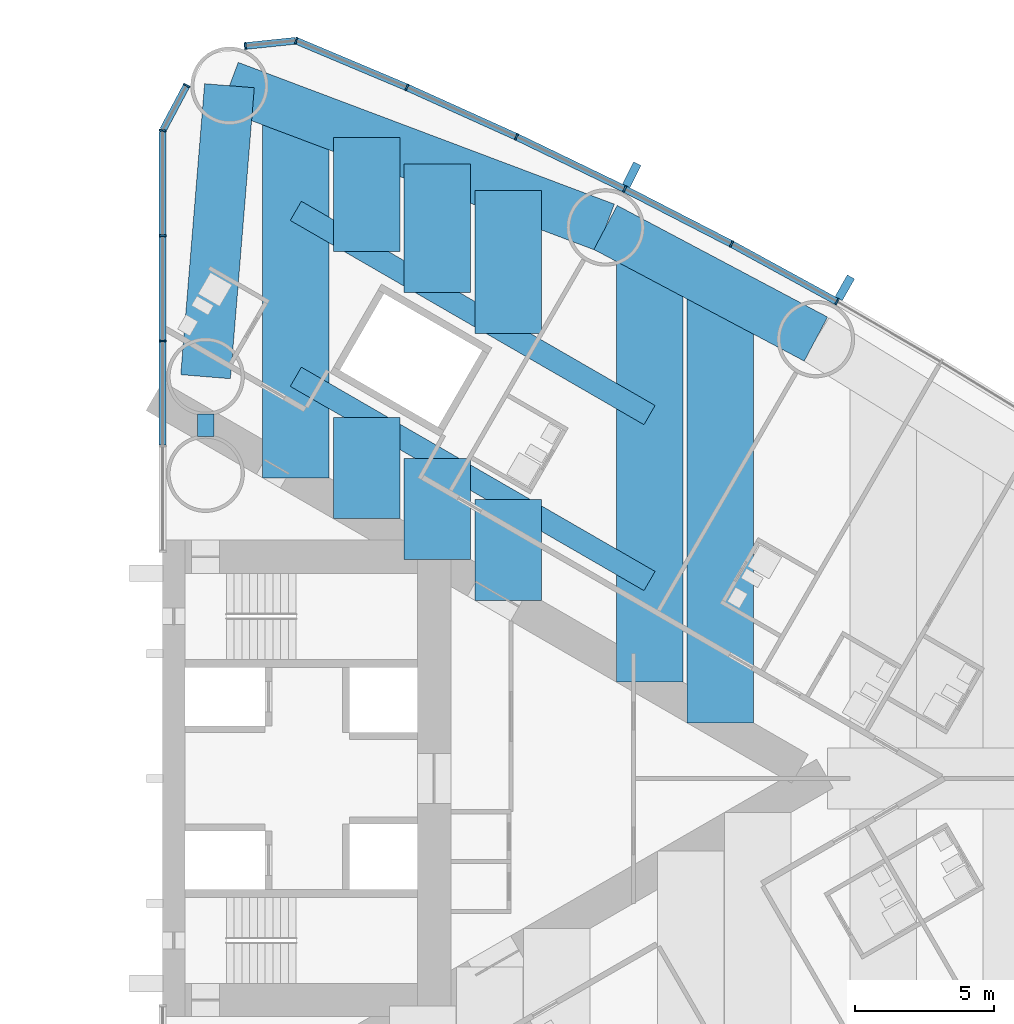
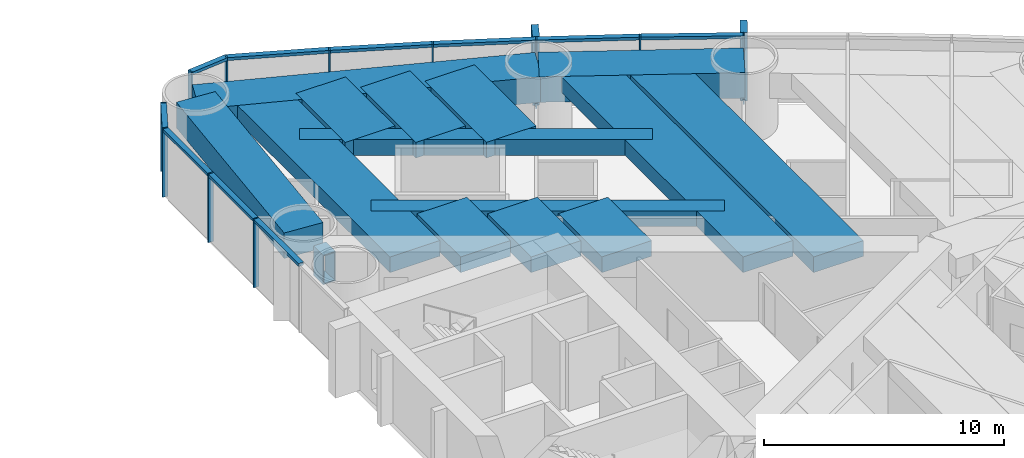
# One storey, part 7 of 19: 23 members, 15 beams, 2 elements without a shape of their own.
"""IFC4 building model written with IfcOpenShell, lengths in metres."""

import ifcopenshell
import ifcopenshell.guid

model = None  # the IFC model being written
_history = None  # IfcOwnerHistory: only IFC2X3 demands one
_inside = {}  # id of a spatial element -> (the spatial element, [elements in it])
_under = {}  # id of a project, library or spatial element -> (it, [spatial elements below it])
_declared = {}  # id of a project -> (the project, [libraries it declares])
_typed = {}  # id of a type object -> (the type object, [elements of that type])
_made_of = {}  # id of a material, layer set ... -> (it, [elements and type objects made of it])


def new_model(schema):
    """Start an empty IFC model of exactly this schema.

    Asked for "IFC4X3", IfcOpenShell would pick the latest addendum, in which some entities
    have other attributes; the version numbers below select the first issue.
    IFC2X3 requires an IfcOwnerHistory on every rooted entity: one is made here for all.
    """
    global model, _history
    if schema == "IFC4X3":
        model = ifcopenshell.file(schema_version=(4, 3, 0, 0))
    else:
        model = ifcopenshell.file(schema=schema)
    _inside.clear()
    _under.clear()
    _declared.clear()
    _typed.clear()
    _made_of.clear()
    _history = None
    if model.schema == "IFC2X3":
        org = make("IfcOrganization", Name="unknown")
        user = make(
            "IfcPersonAndOrganization",
            ThePerson=make("IfcPerson", FamilyName="unknown"),
            TheOrganization=org,
        )
        app = make(
            "IfcApplication",
            ApplicationDeveloper=org,
            Version="unknown",
            ApplicationFullName="unknown",
            ApplicationIdentifier="unknown",
        )
        _history = make(
            "IfcOwnerHistory",
            OwningUser=user,
            OwningApplication=app,
            ChangeAction="ADDED",
            CreationDate=0,
        )
    return model


def make(cls, **values):
    """One entity of the class cls with the attributes given. An attribute that is None is left unset."""
    return model.create_entity(
        cls, **{name: value for name, value in values.items() if value is not None}
    )


def rooted(cls, **values):
    """An entity with a GlobalId (a new one), such as an element, a storey or a relation."""
    return make(cls, GlobalId=ifcopenshell.guid.new(), OwnerHistory=_history, **values)


def si_unit(unit_type, name, prefix=None):
    """IfcSIUnit, for example si_unit("LENGTHUNIT", "METRE", prefix="MILLI")."""
    return make("IfcSIUnit", UnitType=unit_type, Prefix=prefix, Name=name)


def assignment(units):
    """IfcUnitAssignment: the units of a project."""
    return None if units is None else make("IfcUnitAssignment", Units=units)


def point(xyz):
    """IfcCartesianPoint."""
    return None if xyz is None else make("IfcCartesianPoint", Coordinates=xyz)


def direction(xyz):
    """IfcDirection."""
    return None if xyz is None else make("IfcDirection", DirectionRatios=xyz)


def frame(location, z_axis=None, x_axis=None):
    """IfcAxis2Placement3D, a coordinate frame: its origin and axes. An axis left out is left unset."""
    return make(
        "IfcAxis2Placement3D",
        Location=point(location),
        Axis=direction(z_axis),
        RefDirection=direction(x_axis),
    )


def frame_2d(location, x_axis=None):
    """IfcAxis2Placement2D, a coordinate frame in the plane: its origin and x axis."""
    return make(
        "IfcAxis2Placement2D", Location=point(location), RefDirection=direction(x_axis)
    )


def origin():
    """The frame at (0, 0, 0) with its axes left unset."""
    return frame((0.0, 0.0, 0.0))


def origin_2d():
    """The frame at (0, 0) in the plane with its x axis left unset."""
    return frame_2d((0.0, 0.0))


def place(relative_to, where):
    """IfcLocalPlacement: puts the frame where relative to a parent placement (None: the world)."""
    return make(
        "IfcLocalPlacement", PlacementRelTo=relative_to, RelativePlacement=where
    )


def context(
    kind, dimensions, precision=None, world=None, true_north=None, identifier=None
):
    """IfcGeometricRepresentationContext, for example the 3D "Model" context."""
    return make(
        "IfcGeometricRepresentationContext",
        ContextIdentifier=identifier,
        ContextType=kind,
        CoordinateSpaceDimension=dimensions,
        Precision=precision,
        WorldCoordinateSystem=world,
        TrueNorth=true_north,
    )


def subcontext(parent, identifier, kind, view, scale=None):
    """IfcGeometricRepresentationSubContext, for example "Body" below "Model"."""
    return make(
        "IfcGeometricRepresentationSubContext",
        ContextIdentifier=identifier,
        ContextType=kind,
        ParentContext=parent,
        TargetScale=scale,
        TargetView=view,
    )


def project(units=None, contexts=None):
    """IfcProject with its units and contexts."""
    return rooted(
        "IfcProject",
        Name="project",
        RepresentationContexts=contexts,
        UnitsInContext=assignment(units),
    )


def spatial(cls, under=None, at=None, **own):
    """A site, building, storey or space (cls), placed at a placement, below another one or the project."""
    s = rooted(cls, ObjectPlacement=at, **own)
    if under is not None:
        _under.setdefault(under.id(), (under, []))[1].append(s)
    return s


def profile(cls, at=None, kind="AREA", **sizes):
    """A parametric profile (cls). Its sizes go by their IFC names, for example OverallWidth=200.0."""
    return make(cls, ProfileType=kind, Position=at, **sizes)


def rectangle(**sizes):
    """IfcRectangleProfileDef."""
    return profile("IfcRectangleProfileDef", **sizes)


def hollow_rectangle(**sizes):
    """IfcRectangleHollowProfileDef."""
    return profile("IfcRectangleHollowProfileDef", **sizes)


def extrude(swept, where, along, depth):
    """IfcExtrudedAreaSolid: the profile swept, set in the frame where, extruded along a direction by depth."""
    return make(
        "IfcExtrudedAreaSolid",
        SweptArea=swept,
        Position=where,
        ExtrudedDirection=direction(along),
        Depth=depth,
    )


def shape(context_of_items, identifier, shape_type, items):
    """IfcShapeRepresentation: the items that make up one representation, for example the "Body"."""
    return make(
        "IfcShapeRepresentation",
        ContextOfItems=context_of_items,
        RepresentationIdentifier=identifier,
        RepresentationType=shape_type,
        Items=items,
    )


def material(Name=None, Category=None):
    """IfcMaterial."""
    return make("IfcMaterial", Name=Name, Category=Category)


def material_profile(
    of_material, cross_section, Name=None, Category=None, Priority=None
):
    """IfcMaterialProfile: a cross section and its material."""
    return make(
        "IfcMaterialProfile",
        Name=Name,
        Material=of_material,
        Profile=cross_section,
        Priority=Priority,
        Category=Category,
    )


def profile_set(profiles, Name=None, composite=None):
    """IfcMaterialProfileSet."""
    return make(
        "IfcMaterialProfileSet",
        Name=Name,
        MaterialProfiles=profiles,
        CompositeProfile=composite,
    )


def made_of(thing, what):
    """Note that an element or type object is made of a material, layer set ...; save() writes the relation."""
    if what is not None:
        _made_of.setdefault(what.id(), (what, []))[1].append(thing)
    return thing


def type_object(cls, material=None, **own):
    """A type object (cls), such as IfcWallType, which elements share."""
    return made_of(rooted(cls, **own), material)


def element(
    cls,
    number,
    at=None,
    inside=None,
    cuts=None,
    type_object=None,
    material=None,
    context=None,
    identifier="Body",
    shape_type=None,
    held_by="IfcProductDefinitionShape",
    body=None,
    shapes=None,
    **own,
):
    """One element of the class cls, such as IfcWall. Its Tag is "e" and its number.

    at: its placement. inside: the storey or other place that contains it. cuts: it is an
    opening in that element (IfcRelVoidsElement). A single representation is given by context,
    identifier, shape_type and body (its items); several are given by shapes. held_by: the class
    of the entity that holds the representations. save() writes the other relations.
    """
    e = rooted(cls, Tag="e%d" % number, ObjectPlacement=at, **own)
    if body is not None:
        shapes = [shape(context, identifier, shape_type, body)]
    if shapes is not None:
        e.Representation = make(held_by, Representations=shapes)
    if inside is not None:
        _inside.setdefault(inside.id(), (inside, []))[1].append(e)
    if cuts is not None:
        rooted(
            "IfcRelVoidsElement", RelatingBuildingElement=cuts, RelatedOpeningElement=e
        )
    if type_object is not None:
        _typed.setdefault(type_object.id(), (type_object, []))[1].append(e)
    return made_of(e, material)


def aggregate(whole, parts):
    """IfcRelAggregates: a whole, such as a stair, and the parts it consists of."""
    return rooted("IfcRelAggregates", RelatingObject=whole, RelatedObjects=parts)


def save(model, path):
    """Write the relations noted so far, then the file.

    IfcRelAggregates (storeys below a building ...), IfcRelContainedInSpatialStructure (elements
    in a storey), IfcRelDefinesByType, IfcRelAssociatesMaterial and IfcRelDeclares: one each for
    every whole, place, type object, material and project.
    """
    for whole, parts in _under.values():
        aggregate(whole, parts)
    for where, things in _inside.values():
        rooted(
            "IfcRelContainedInSpatialStructure",
            RelatedElements=things,
            RelatingStructure=where,
        )
    for kind, things in _typed.values():
        rooted("IfcRelDefinesByType", RelatedObjects=things, RelatingType=kind)
    for what, things in _made_of.values():
        rooted("IfcRelAssociatesMaterial", RelatedObjects=things, RelatingMaterial=what)
    for by, libraries in _declared.values():
        rooted("IfcRelDeclares", RelatingContext=by, RelatedDefinitions=libraries)
    model.write(path)


model = new_model("IFC4")

# Units and contexts
model_context = context("Model", 3, precision=1e-05, world=origin(), true_north=direction((0.0, 1.0)))
body_context = subcontext(model_context, "Body", "Model", "MODEL_VIEW")
ifc_project = project(units=[si_unit("LENGTHUNIT", "METRE"), si_unit("AREAUNIT", "SQUARE_METRE"), si_unit("VOLUMEUNIT", "CUBIC_METRE"), si_unit("PLANEANGLEUNIT", "RADIAN"), si_unit("MASSUNIT", "GRAM", prefix="KILO")], contexts=[model_context])

# Site, building, storey
site_placement = place(None, origin())
site = spatial("IfcSite", under=ifc_project, at=site_placement, CompositionType="ELEMENT")
building_placement = place(site_placement, origin())
building = spatial("IfcBuilding", under=site, at=building_placement, Name="Lancet Gate Hotel", CompositionType="ELEMENT")
storey_placement = place(building_placement, frame((0.0, 0.0, 21.5)))
storey = spatial("IfcBuildingStorey", under=building, at=storey_placement, Name="L04", CompositionType="ELEMENT", Elevation=21.5)

# Curtain wall, members
ifc_material_1 = material(Name="Aluminium curtain wall", Category="aluminium")
curtain_wall_type = type_object("IfcCurtainWallType", Name="Tower unitised curtain wall", PredefinedType="USERDEFINED", material=ifc_material_1)
curtain_wall_1_placement = place(storey_placement, origin())
curtain_wall_1 = element("IfcCurtainWall", 1, at=curtain_wall_1_placement, inside=storey, type_object=curtain_wall_type, Name="T2 L04 curtain wall 3", ObjectType="UNITISED CURTAIN WALL", PredefinedType="USERDEFINED")
ifc_material_2 = material(Name="Aluminium mullion", Category="aluminium")
ifc_material_profile_1 = material_profile(ifc_material_2, rectangle(XDim=0.06494140625, YDim=0.25, at=origin_2d()), Name="MULLION 65x250")
ifc_profile_set_1 = profile_set([ifc_material_profile_1], Name="Aluminium mullion")
member_type_1 = type_object("IfcMemberType", Name="Aluminium mullion 65x250", PredefinedType="MULLION", material=ifc_profile_set_1)
member_1_placement = place(storey_placement, frame((51.838623046875, 17.208740234375, 0.0), z_axis=(0.0, 0.0, 1.0), x_axis=(-0.871190450382, 0.490945209941, 0.0)))
member_1 = element("IfcMember", 2, at=member_1_placement, type_object=member_type_1, Name="T2 L04 curtain wall 3 mullion 8", PredefinedType="MULLION", context=body_context, shape_type="SweptSolid", body=[
    extrude(rectangle(XDim=0.06494140625, YDim=0.25, at=origin_2d()), origin(), (0.0, 0.0, 1.0), 3.5),
])
member_2_placement = place(storey_placement, frame((48.03271484375, 19.2900390625, 0.0), z_axis=(0.0, 0.0, 1.0), x_axis=(-0.88340346743, 0.468613181347, 0.0)))
member_2 = element("IfcMember", 3, at=member_2_placement, type_object=member_type_1, Name="T2 L04 curtain wall 3 mullion 9", PredefinedType="MULLION", context=body_context, shape_type="SweptSolid", body=[
    extrude(rectangle(XDim=0.06494140625, YDim=0.25, at=origin_2d()), origin(), (0.0, 0.0, 1.0), 3.5),
])
member_3_placement = place(storey_placement, frame((44.17529296875, 21.273681640625, 0.0), z_axis=(0.0, 0.0, 1.0), x_axis=(-0.895044147438, 0.445977548917, 0.0)))
member_3 = element("IfcMember", 4, at=member_3_placement, type_object=member_type_1, Name="T2 L04 curtain wall 3 mullion 10", PredefinedType="MULLION", context=body_context, shape_type="SweptSolid", body=[
    extrude(rectangle(XDim=0.06494140625, YDim=0.25, at=origin_2d()), origin(), (0.0, 0.0, 1.0), 3.5),
])
member_4_placement = place(storey_placement, frame((40.2685546875, 23.15869140625, 0.0), z_axis=(0.0, 0.0, 1.0), x_axis=(-0.906104948671, 0.423052977762, 0.0)))
member_4 = element("IfcMember", 5, at=member_4_placement, type_object=member_type_1, Name="T2 L04 curtain wall 3 mullion 11", PredefinedType="MULLION", context=body_context, shape_type="SweptSolid", body=[
    extrude(rectangle(XDim=0.06494140625, YDim=0.25, at=origin_2d()), origin(), (0.0, 0.0, 1.0), 3.5),
])
member_5_placement = place(storey_placement, frame((36.31494140625, 24.943603515625, 0.0), z_axis=(0.0, 0.0, 1.0), x_axis=(-0.916578705089, 0.399854320193, 0.0)))
member_5 = element("IfcMember", 6, at=member_5_placement, type_object=member_type_1, Name="T2 L04 curtain wall 3 mullion 12", PredefinedType="MULLION", context=body_context, shape_type="SweptSolid", body=[
    extrude(rectangle(XDim=0.06494140625, YDim=0.25, at=origin_2d()), origin(), (0.0, 0.0, 1.0), 3.5),
])
member_6_placement = place(storey_placement, frame((32.3173828125, 26.62744140625, 0.0), z_axis=(0.0, 0.0, 1.0), x_axis=(-0.968721492963, 0.248150496819, 0.0)))
member_6 = element("IfcMember", 7, at=member_6_placement, type_object=member_type_1, Name="T2 L04 curtain wall 3 mullion 13", PredefinedType="MULLION", context=body_context, shape_type="SweptSolid", body=[
    extrude(rectangle(XDim=0.06494140625, YDim=0.25, at=origin_2d()), origin(), (0.0, 0.0, 1.0), 3.5),
])
member_7_placement = place(storey_placement, frame((30.48388671875, 26.4375, 0.0), z_axis=(0.0, 0.0, 1.0), x_axis=(-0.994672262412, -0.10308778001, 0.0)))
member_7 = element("IfcMember", 8, at=member_7_placement, type_object=member_type_1, Name="T2 L04 curtain wall 3 mullion 14", PredefinedType="MULLION", context=body_context, shape_type="SweptSolid", body=[
    extrude(rectangle(XDim=0.06494140625, YDim=0.25, at=origin_2d()), origin(), (0.0, 0.0, 1.0), 3.5),
])

curtain_wall_2_placement = place(storey_placement, origin())
curtain_wall_2 = element("IfcCurtainWall", 9, at=curtain_wall_2_placement, inside=storey, type_object=curtain_wall_type, Name="T2 L04 curtain wall 4", ObjectType="UNITISED CURTAIN WALL", PredefinedType="USERDEFINED")
member_8_placement = place(storey_placement, frame((28.366455078125, 25.012451171875, 0.0), z_axis=(0.0, 0.0, 1.0), x_axis=(-0.469897827284, -0.882720811987, 0.0)))
member_8 = element("IfcMember", 10, at=member_8_placement, type_object=member_type_1, Name="T2 L04 curtain wall 4 mullion 1", PredefinedType="MULLION", context=body_context, shape_type="SweptSolid", body=[
    extrude(rectangle(XDim=0.06494140625, YDim=0.25, at=origin_2d()), origin(), (0.0, 0.0, 1.0), 3.5),
])
member_9_placement = place(storey_placement, frame((27.5, 23.384765625, 0.0), z_axis=(0.0, 0.0, 1.0), x_axis=(-0.157751691459, -0.987478811844, 0.0)))
member_9 = element("IfcMember", 11, at=member_9_placement, type_object=member_type_1, Name="T2 L04 curtain wall 4 mullion 2", PredefinedType="MULLION", context=body_context, shape_type="SweptSolid", body=[
    extrude(rectangle(XDim=0.06494140625, YDim=0.25, at=origin_2d()), origin(), (0.0, 0.0, 1.0), 3.5),
])
member_10_placement = place(storey_placement, frame((27.5, 19.588623046875, 0.0), z_axis=(0.0, 0.0, 1.0), x_axis=(0.0, -1.0, 0.0)))
member_10 = element("IfcMember", 12, at=member_10_placement, type_object=member_type_1, Name="T2 L04 curtain wall 4 mullion 3", PredefinedType="MULLION", context=body_context, shape_type="SweptSolid", body=[
    extrude(rectangle(XDim=0.06494140625, YDim=0.25, at=origin_2d()), origin(), (0.0, 0.0, 1.0), 3.5),
])
member_11_placement = place(storey_placement, frame((27.5, 15.79248046875, 0.0), z_axis=(0.0, 0.0, 1.0), x_axis=(0.0, -1.0, 0.0)))
member_11 = element("IfcMember", 13, at=member_11_placement, type_object=member_type_1, Name="T2 L04 curtain wall 4 mullion 4", PredefinedType="MULLION", context=body_context, shape_type="SweptSolid", body=[
    extrude(rectangle(XDim=0.06494140625, YDim=0.25, at=origin_2d()), origin(), (0.0, 0.0, 1.0), 3.5),
])

# Member
ifc_material_3 = material(Name="Aluminium transom", Category="aluminium")
ifc_material_profile_2 = material_profile(ifc_material_3, rectangle(XDim=0.25, YDim=0.14990234375, at=origin_2d()), Name="TRANSOM 250x150")
ifc_profile_set_2 = profile_set([ifc_material_profile_2], Name="Aluminium transom")
member_type_2 = type_object("IfcMemberType", Name="Aluminium transom 250x150", PredefinedType="USERDEFINED", material=ifc_profile_set_2)
member_12_placement = place(storey_placement, frame((51.81005859375, 17.224365234375, 3.425048828125), z_axis=(-0.877377528879, 0.479800658417, 0.0), x_axis=(-0.479800658417, -0.877377528879, 0.0)))
member_12 = element("IfcMember", 14, at=member_12_placement, type_object=member_type_2, Name="T2 L04 curtain wall 3 transom 8", ObjectType="TRANSOM", PredefinedType="USERDEFINED", context=body_context, shape_type="SweptSolid", body=[
    extrude(rectangle(XDim=0.25, YDim=0.14990234375, at=origin_2d()), origin(), (0.0, 0.0, 1.0), 4.272705078125),
])

member_13_placement = place(storey_placement, frame((48.00390625, 19.304931640625, 3.425048828125), z_axis=(-0.88929576978, 0.457332520002, 0.0), x_axis=(-0.457332520002, -0.88929576978, 0.0)))
member_13 = element("IfcMember", 15, at=member_13_placement, type_object=member_type_2, Name="T2 L04 curtain wall 3 transom 9", ObjectType="TRANSOM", PredefinedType="USERDEFINED", context=body_context, shape_type="SweptSolid", body=[
    extrude(rectangle(XDim=0.25, YDim=0.14990234375, at=origin_2d()), origin(), (0.0, 0.0, 1.0), 4.272705078125),
])

member_14_placement = place(storey_placement, frame((44.14599609375, 21.287841796875, 3.425048828125), z_axis=(-0.900646499888, 0.434552508035, 0.0), x_axis=(-0.434552508035, -0.900646499888, 0.0)))
member_14 = element("IfcMember", 16, at=member_14_placement, type_object=member_type_2, Name="T2 L04 curtain wall 3 transom 10", ObjectType="TRANSOM", PredefinedType="USERDEFINED", context=body_context, shape_type="SweptSolid", body=[
    extrude(rectangle(XDim=0.25, YDim=0.14990234375, at=origin_2d()), origin(), (0.0, 0.0, 1.0), 4.272705078125),
])

member_15_placement = place(storey_placement, frame((40.23876953125, 23.172119140625, 3.425048828125), z_axis=(-0.911396871737, 0.411528543589, 0.0), x_axis=(-0.411528543589, -0.911396871737, 0.0)))
member_15 = element("IfcMember", 17, at=member_15_placement, type_object=member_type_2, Name="T2 L04 curtain wall 3 transom 11", ObjectType="TRANSOM", PredefinedType="USERDEFINED", context=body_context, shape_type="SweptSolid", body=[
    extrude(rectangle(XDim=0.25, YDim=0.14990234375, at=origin_2d()), origin(), (0.0, 0.0, 1.0), 4.272705078125),
])

member_16_placement = place(storey_placement, frame((36.28515625, 24.956298828125, 3.425048828125), z_axis=(-0.92159772617, 0.388146404233, 0.0), x_axis=(-0.388146404233, -0.92159772617, 0.0)))
member_16 = element("IfcMember", 18, at=member_16_placement, type_object=member_type_2, Name="T2 L04 curtain wall 3 transom 12", ObjectType="TRANSOM", PredefinedType="USERDEFINED", context=body_context, shape_type="SweptSolid", body=[
    extrude(rectangle(XDim=0.25, YDim=0.14990234375, at=origin_2d()), origin(), (0.0, 0.0, 1.0), 4.272705078125),
])

member_17_placement = place(storey_placement, frame((32.28515625, 26.6240234375, 3.425048828125), z_axis=(-0.994670452051, -0.103105246306, 0.0), x_axis=(0.103105246306, -0.994670452051, 0.0)))
member_17 = element("IfcMember", 19, at=member_17_placement, type_object=member_type_2, Name="T2 L04 curtain wall 3 transom 13", ObjectType="TRANSOM", PredefinedType="USERDEFINED", context=body_context, shape_type="SweptSolid", body=[
    extrude(rectangle(XDim=0.25, YDim=0.14990234375, at=origin_2d()), origin(), (0.0, 0.0, 1.0), 1.7783203125),
])

member_18_placement = place(storey_placement, frame((28.351318359375, 24.98388671875, 3.425048828125), z_axis=(-0.469904276347, -0.882717378933, 0.0), x_axis=(0.882717378933, -0.469904276347, 0.0)))
member_18 = element("IfcMember", 20, at=member_18_placement, type_object=member_type_2, Name="T2 L04 curtain wall 4 transom 1", ObjectType="TRANSOM", PredefinedType="USERDEFINED", context=body_context, shape_type="SweptSolid", body=[
    extrude(rectangle(XDim=0.25, YDim=0.14990234375, at=origin_2d()), origin(), (0.0, 0.0, 1.0), 1.779052734375),
])

member_19_placement = place(storey_placement, frame((27.5, 23.352294921875, 3.425048828125), z_axis=(0.0, -1.0, 0.0), x_axis=(1.0, 0.0, 0.0)))
member_19 = element("IfcMember", 21, at=member_19_placement, type_object=member_type_2, Name="T2 L04 curtain wall 4 transom 2", ObjectType="TRANSOM", PredefinedType="USERDEFINED", context=body_context, shape_type="SweptSolid", body=[
    extrude(rectangle(XDim=0.25, YDim=0.14990234375, at=origin_2d()), origin(), (0.0, 0.0, 1.0), 3.731201171875),
])

member_20_placement = place(storey_placement, frame((27.5, 19.55615234375, 3.425048828125), z_axis=(0.0, -1.0, 0.0), x_axis=(1.0, 0.0, 0.0)))
member_20 = element("IfcMember", 22, at=member_20_placement, type_object=member_type_2, Name="T2 L04 curtain wall 4 transom 3", ObjectType="TRANSOM", PredefinedType="USERDEFINED", context=body_context, shape_type="SweptSolid", body=[
    extrude(rectangle(XDim=0.25, YDim=0.14990234375, at=origin_2d()), origin(), (0.0, 0.0, 1.0), 3.731201171875),
])

member_21_placement = place(storey_placement, frame((27.5, 15.760009765625, 3.425048828125), z_axis=(0.0, -1.0, 0.0), x_axis=(1.0, 0.0, 0.0)))
member_21 = element("IfcMember", 23, at=member_21_placement, type_object=member_type_2, Name="T2 L04 curtain wall 4 transom 4", ObjectType="TRANSOM", PredefinedType="USERDEFINED", context=body_context, shape_type="SweptSolid", body=[
    extrude(rectangle(XDim=0.25, YDim=0.14990234375, at=origin_2d()), origin(), (0.0, 0.0, 1.0), 3.731201171875),
])

aggregate(curtain_wall_2, [member_8, member_9, member_10, member_11, member_18, member_19, member_20, member_21])

# Beams
ifc_material_4 = material(Name="Concrete C50/60", Category="concrete")
ifc_material_profile_3 = material_profile(ifc_material_4, rectangle(XDim=1.800048828125, YDim=1.300048828125, at=origin_2d()), Name="RC 1800x1300")
ifc_profile_set_3 = profile_set([ifc_material_profile_3], Name="Concrete C50/60")
beam_type_1 = type_object("IfcBeamType", Name="Edge beam RC 1800x1300", PredefinedType="SPANDREL", material=ifc_profile_set_3)
beam_1_placement = place(storey_placement, frame((51.07763671875, 15.8583984375, 2.60009765625), z_axis=(-0.883403493655, 0.46861313191, 0.0), x_axis=(-0.46861313191, -0.883403493655, 0.0)))
element("IfcBeam", 24, at=beam_1_placement, inside=storey, type_object=beam_type_1, Name="T2 edge beam EB1 L04", PredefinedType="SPANDREL", context=body_context, shape_type="SweptSolid", body=[
    extrude(rectangle(XDim=1.800048828125, YDim=1.300048828125, at=origin_2d()), origin(), (0.0, 0.0, 1.0), 8.595703125),
])
beam_2_placement = place(storey_placement, frame((43.484130859375, 19.886474609375, 2.60009765625), z_axis=(-0.935736448066, 0.352700013836, 0.0), x_axis=(-0.352700013836, -0.935736448066, 0.0)))
element("IfcBeam", 25, at=beam_2_placement, inside=storey, type_object=beam_type_1, Name="T2 edge beam EB1 L04", PredefinedType="SPANDREL", context=body_context, shape_type="SweptSolid", body=[
    extrude(rectangle(XDim=1.800048828125, YDim=1.300048828125, at=origin_2d()), origin(), (0.0, 0.0, 1.0), 14.505126953125),
])
beam_3_placement = place(storey_placement, frame((29.050048828125, 14.5, 2.60009765625), z_axis=(0.081714744052, 0.996655758326, 0.0), x_axis=(-0.996655758326, 0.081714744052, 0.0)))
element("IfcBeam", 26, at=beam_3_placement, inside=storey, type_object=beam_type_1, Name="T2 edge beam EB1 L04", PredefinedType="SPANDREL", context=body_context, shape_type="SweptSolid", body=[
    extrude(rectangle(XDim=1.800048828125, YDim=1.300048828125, at=origin_2d()), origin(), (0.0, 0.0, 1.0), 10.53759765625),
])

# Member
ifc_material_5 = material(Name="Precast concrete C50/60", Category="concrete")
ifc_material_profile_4 = material_profile(ifc_material_5, rectangle(XDim=0.300048828125, YDim=0.89990234375, at=origin_2d()), Name="FIN 300x900")
ifc_profile_set_4 = profile_set([ifc_material_profile_4], Name="Precast concrete C50/60")
member_type_3 = type_object("IfcMemberType", Name="Exposed concrete fin 300x900", PredefinedType="USERDEFINED", material=ifc_profile_set_4)
member_22_placement = place(storey_placement, frame((52.120849609375, 17.709716796875, 0.0), z_axis=(0.0, 0.0, 1.0), x_axis=(-0.871190450382, 0.490945209941, 0.0)))
member_22 = element("IfcMember", 27, at=member_22_placement, type_object=member_type_3, Name="T2 L04 curtain wall 3 fin 8", ObjectType="FIN", PredefinedType="USERDEFINED", context=body_context, shape_type="SweptSolid", body=[
    extrude(rectangle(XDim=0.300048828125, YDim=0.89990234375, at=origin_2d()), origin(), (0.0, 0.0, 1.0), 3.5),
])

member_23_placement = place(storey_placement, frame((44.431640625, 21.788330078125, 0.0), z_axis=(0.0, 0.0, 1.0), x_axis=(-0.895044147438, 0.445977548917, 0.0)))
member_23 = element("IfcMember", 28, at=member_23_placement, type_object=member_type_3, Name="T2 L04 curtain wall 3 fin 10", ObjectType="FIN", PredefinedType="USERDEFINED", context=body_context, shape_type="SweptSolid", body=[
    extrude(rectangle(XDim=0.300048828125, YDim=0.89990234375, at=origin_2d()), origin(), (0.0, 0.0, 1.0), 3.5),
])

aggregate(curtain_wall_1, [member_1, member_22, member_2, member_3, member_23, member_4, member_5, member_6, member_7, member_12, member_13, member_14, member_15, member_16, member_17])

# Beams
ifc_material_6 = material(Name="Concrete C50/60", Category="concrete")
ifc_material_profile_5 = material_profile(ifc_material_6, rectangle(XDim=2.39990234375, YDim=0.800048828125, at=origin_2d()), Name="RC 2400x800")
ifc_profile_set_5 = profile_set([ifc_material_profile_5], Name="Concrete C50/60")
beam_type_2 = type_object("IfcBeamType", Name="Floor beam RC 2400x800", PredefinedType="BEAM", material=ifc_profile_set_5)
beam_4_placement = place(storey_placement, frame((32.306396484375, 10.851806640625, 2.85009765625), z_axis=(0.0, 1.0, 0.0), x_axis=(-1.0, 0.0, 0.0)))
element("IfcBeam", 29, at=beam_4_placement, inside=storey, type_object=beam_type_2, Name="T2 floor beam F04N L04", PredefinedType="BEAM", context=body_context, shape_type="SweptSolid", body=[
    extrude(rectangle(XDim=2.39990234375, YDim=0.800048828125, at=origin_2d()), origin(), (0.0, 0.0, 1.0), 13.247802734375),
])
beam_5_placement = place(storey_placement, frame((45.072265625, 3.4814453125, 2.85009765625), z_axis=(0.0, 1.0, 0.0), x_axis=(-1.0, 0.0, 0.0)))
element("IfcBeam", 30, at=beam_5_placement, inside=storey, type_object=beam_type_2, Name="T2 floor beam F12N L04", PredefinedType="BEAM", context=body_context, shape_type="SweptSolid", body=[
    extrude(rectangle(XDim=2.39990234375, YDim=0.800048828125, at=origin_2d()), origin(), (0.0, 0.0, 1.0), 15.5625),
])
beam_6_placement = place(storey_placement, frame((47.62548828125, 2.00732421875, 2.85009765625), z_axis=(0.0, 1.0, 0.0), x_axis=(-1.0, 0.0, 0.0)))
element("IfcBeam", 31, at=beam_6_placement, inside=storey, type_object=beam_type_2, Name="T2 floor beam F14N L04", PredefinedType="BEAM", context=body_context, shape_type="SweptSolid", body=[
    extrude(rectangle(XDim=2.39990234375, YDim=0.800048828125, at=origin_2d()), origin(), (0.0, 0.0, 1.0), 15.68212890625),
])
beam_7_placement = place(storey_placement, frame((34.859619140625, 9.377685546875, 2.85009765625), z_axis=(0.0, 1.0, 0.0), x_axis=(-1.0, 0.0, 0.0)))
element("IfcBeam", 32, at=beam_7_placement, inside=storey, type_object=beam_type_2, Name="T2 floor beam F06NA L04", PredefinedType="BEAM", context=body_context, shape_type="SweptSolid", body=[
    extrude(rectangle(XDim=2.39990234375, YDim=0.800048828125, at=origin_2d()), origin(), (0.0, 0.0, 1.0), 3.645751953125),
])
beam_8_placement = place(storey_placement, frame((34.859619140625, 19.011474609375, 2.85009765625), z_axis=(0.0, 1.0, 0.0), x_axis=(-1.0, 0.0, 0.0)))
element("IfcBeam", 33, at=beam_8_placement, inside=storey, type_object=beam_type_2, Name="T2 floor beam F06NB L04", PredefinedType="BEAM", context=body_context, shape_type="SweptSolid", body=[
    extrude(rectangle(XDim=2.39990234375, YDim=0.800048828125, at=origin_2d()), origin(), (0.0, 0.0, 1.0), 4.125732421875),
])
beam_9_placement = place(storey_placement, frame((37.412841796875, 7.903564453125, 2.85009765625), z_axis=(0.0, 1.0, 0.0), x_axis=(-1.0, 0.0, 0.0)))
element("IfcBeam", 34, at=beam_9_placement, inside=storey, type_object=beam_type_2, Name="T2 floor beam F08NA L04", PredefinedType="BEAM", context=body_context, shape_type="SweptSolid", body=[
    extrude(rectangle(XDim=2.39990234375, YDim=0.800048828125, at=origin_2d()), origin(), (0.0, 0.0, 1.0), 3.6455078125),
])
beam_10_placement = place(storey_placement, frame((37.412841796875, 17.537109375, 2.85009765625), z_axis=(0.0, 1.0, 0.0), x_axis=(-1.0, 0.0, 0.0)))
element("IfcBeam", 35, at=beam_10_placement, inside=storey, type_object=beam_type_2, Name="T2 floor beam F08NB L04", PredefinedType="BEAM", context=body_context, shape_type="SweptSolid", body=[
    extrude(rectangle(XDim=2.39990234375, YDim=0.800048828125, at=origin_2d()), origin(), (0.0, 0.0, 1.0), 4.6376953125),
])
beam_11_placement = place(storey_placement, frame((39.9658203125, 6.429443359375, 2.85009765625), z_axis=(0.0, 1.0, 0.0), x_axis=(-1.0, 0.0, 0.0)))
element("IfcBeam", 36, at=beam_11_placement, inside=storey, type_object=beam_type_2, Name="T2 floor beam F10NA L04", PredefinedType="BEAM", context=body_context, shape_type="SweptSolid", body=[
    extrude(rectangle(XDim=2.39990234375, YDim=0.800048828125, at=origin_2d()), origin(), (0.0, 0.0, 1.0), 3.64501953125),
])
beam_12_placement = place(storey_placement, frame((39.9658203125, 16.062744140625, 2.85009765625), z_axis=(0.0, 1.0, 0.0), x_axis=(-1.0, 0.0, 0.0)))
element("IfcBeam", 37, at=beam_12_placement, inside=storey, type_object=beam_type_2, Name="T2 floor beam F10NB L04", PredefinedType="BEAM", context=body_context, shape_type="SweptSolid", body=[
    extrude(rectangle(XDim=2.39990234375, YDim=0.800048828125, at=origin_2d()), origin(), (0.0, 0.0, 1.0), 5.14990234375),
])
ifc_material_7 = material(Name="Steel S460QL", Category="steel")
ifc_material_profile_6 = material_profile(ifc_material_7, hollow_rectangle(XDim=0.60009765625, YDim=1.5, WallThickness=0.050048828125, at=origin_2d()), Name="BOX 1500x600x50")
ifc_profile_set_6 = profile_set([ifc_material_profile_6], Name="Steel S460QL")
beam_type_3 = type_object("IfcBeamType", Name="Inner-face link beam BOX 1500x600x50", PredefinedType="BEAM", material=ifc_profile_set_6)
beam_13_placement = place(storey_placement, frame((29.050048828125, 12.35009765625, 2.5), z_axis=(0.0, 1.0, 0.0), x_axis=(-1.0, 0.0, 0.0)))
element("IfcBeam", 38, at=beam_13_placement, inside=storey, type_object=beam_type_3, Name="T2 inner-face link beam LK1 L04", PredefinedType="BEAM", context=body_context, shape_type="SweptSolid", body=[
    extrude(hollow_rectangle(XDim=0.60009765625, YDim=1.5, WallThickness=0.050048828125, at=origin_2d()), origin(), (0.0, 0.0, 1.0), 0.7998046875),
])
ifc_material_8 = material(Name="Steel S460QL", Category="steel")
ifc_material_profile_7 = material_profile(ifc_material_8, hollow_rectangle(XDim=0.800048828125, YDim=0.800048828125, WallThickness=0.080078125, at=origin_2d()), Name="BOX 800x800x80")
ifc_profile_set_7 = profile_set([ifc_material_profile_7], Name="Steel S460QL")
beam_type_4 = type_object("IfcBeamType", Name="Trimmer beam BOX 800x800x80", PredefinedType="BEAM", material=ifc_profile_set_7)
beam_14_placement = place(storey_placement, frame((32.306396484375, 20.48583984375, 2.85009765625), z_axis=(0.86598286195, -0.500073677381, 0.0), x_axis=(0.500073677381, 0.86598286195, 0.0)))
element("IfcBeam", 39, at=beam_14_placement, inside=storey, type_object=beam_type_4, Name="T2 trimmer beam TR03N L04", PredefinedType="BEAM", context=body_context, shape_type="SweptSolid", body=[
    extrude(hollow_rectangle(XDim=0.800048828125, YDim=0.800048828125, WallThickness=0.080078125, at=origin_2d()), origin(), (0.0, 0.0, 1.0), 14.741455078125),
])
beam_15_placement = place(storey_placement, frame((32.306396484375, 14.497802734375, 2.85009765625), z_axis=(0.865975689888, -0.500086097111, 0.0), x_axis=(0.500086097111, 0.865975689888, 0.0)))
element("IfcBeam", 40, at=beam_15_placement, inside=storey, type_object=beam_type_4, Name="T2 trimmer beam TR04N L04", PredefinedType="BEAM", context=body_context, shape_type="SweptSolid", body=[
    extrude(hollow_rectangle(XDim=0.800048828125, YDim=0.800048828125, WallThickness=0.080078125, at=origin_2d()), origin(), (0.0, 0.0, 1.0), 14.74169921875),
])

save(model, "model.ifc")
